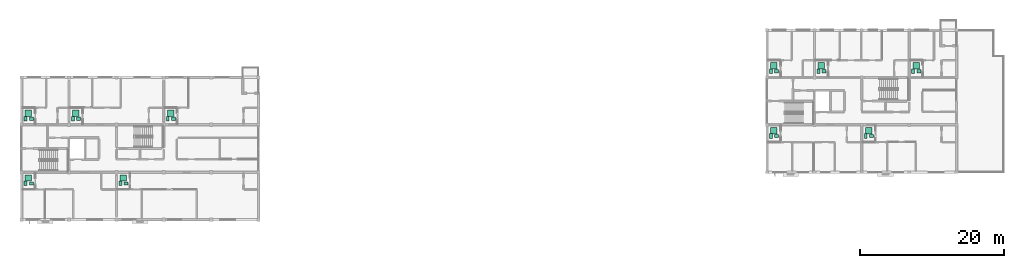
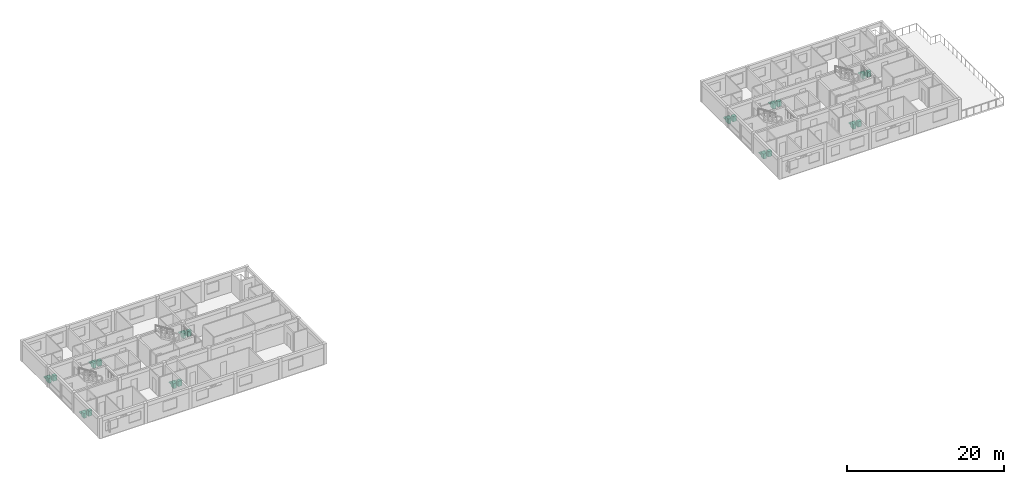
# One storey, part 22 of 22: 30 sanitary terminals.
"""IFC4 building model written with IfcOpenShell, lengths in metres."""

from ifc_helpers import new_model, si_unit, direction, frame, origin, origin_2d, place, context, subcontext, project, spatial, rectangle, extrude, material, type_object, element, save


model = new_model("IFC4")

# Units and contexts
model_context = context("Model", 3, precision=1e-05, world=origin(), true_north=direction((0.0, 1.0)))
body_context = subcontext(model_context, "Body", "Model", "MODEL_VIEW")
ifc_project = project(units=[si_unit("LENGTHUNIT", "METRE"), si_unit("AREAUNIT", "SQUARE_METRE"), si_unit("VOLUMEUNIT", "CUBIC_METRE"), si_unit("PLANEANGLEUNIT", "RADIAN"), si_unit("MASSUNIT", "GRAM", prefix="KILO")], contexts=[model_context])

# Site, building, storey
site_placement = place(None, origin())
site = spatial("IfcSite", under=ifc_project, at=site_placement, CompositionType="ELEMENT")
building_placement = place(site_placement, origin())
building = spatial("IfcBuilding", under=site, at=building_placement, Name="Kernevlak Ridge Housing Community", CompositionType="ELEMENT")
storey_placement = place(building_placement, frame((0.0, 0.0, 43.60009765625)))
storey = spatial("IfcBuildingStorey", under=building, at=storey_placement, Name="L13", CompositionType="ELEMENT", Elevation=43.60009765625)

# Sanitary terminals
ifc_material_1 = material(Name="Vitreous china ceramic")
sanitary_terminal_type_1 = type_object("IfcSanitaryTerminalType", Name="SN-BS", PredefinedType="WASHHANDBASIN", material=ifc_material_1)
for number, where, z_axis, x_axis, name in (
    (1, (16.949951171875, 81.050048828125, 0.0), (0.0, 0.0, 1.0), (1.0, 0.0, 0.0), "Washhand basin 73"),
    (2, (30.14990234375, 81.050048828125, 0.0), (0.0, 0.0, 1.0), (1.0, 0.0, 0.0), "Washhand basin 74"),
    (3, (16.949951171875, 90.050048828125, 0.0), (0.0, 0.0, 1.0), (1.0, 0.0, 0.0), "Washhand basin 75"),
    (4, (23.550048828125, 90.050048828125, 0.0), (0.0, 0.0, 1.0), (1.0, 0.0, 0.0), "Washhand basin 76"),
    (5, (36.75, 90.050048828125, 0.0), (0.0, 0.0, 1.0), (1.0, 0.0, 0.0), "Washhand basin 77"),
    (6, (120.75, 87.64990234375, 0.0), (0.0, 0.0, 1.0), (1.0, 0.0, 0.0), "Washhand basin 170"),
    (7, (133.949951171875, 87.64990234375, 0.0), (0.0, 0.0, 1.0), (1.0, 0.0, 0.0), "Washhand basin 171"),
    (8, (120.75, 96.64990234375, 0.0), (0.0, 0.0, 1.0), (1.0, 0.0, 0.0), "Washhand basin 172"),
    (9, (127.35009765625, 96.64990234375, 0.0), (0.0, 0.0, 1.0), (1.0, 0.0, 0.0), "Washhand basin 173"),
    (10, (140.550048828125, 96.64990234375, 0.0), (0.0, 0.0, 1.0), (1.0, 0.0, 0.0), "Washhand basin 174"),
):
    element("IfcSanitaryTerminal", number, at=place(storey_placement, frame(where, z_axis=z_axis, x_axis=x_axis)), inside=storey, type_object=sanitary_terminal_type_1, Name=name, PredefinedType="WASHHANDBASIN", context=body_context, shape_type="SweptSolid", body=[
        extrude(rectangle(XDim=0.550048828125, YDim=0.449951171875, at=origin_2d()), origin(), (0.0, 0.0, 1.0), 0.820068359375),
    ])
ifc_material_2 = material(Name="Glazed porcelain ceramic")
sanitary_terminal_type_2 = type_object("IfcSanitaryTerminalType", Name="SN-SH", PredefinedType="SHOWER", material=ifc_material_2)
for number, where, z_axis, x_axis, name in (
    (11, (16.550048828125, 81.800048828125, -0.000244140625), (0.0, 0.0, 1.0), (1.0, 0.0, 0.0), "Shower tray 73"),
    (12, (29.75, 81.800048828125, -0.000244140625), (0.0, 0.0, 1.0), (1.0, 0.0, 0.0), "Shower tray 74"),
    (13, (16.550048828125, 90.800048828125, -0.000244140625), (0.0, 0.0, 1.0), (1.0, 0.0, 0.0), "Shower tray 75"),
    (14, (23.14990234375, 90.800048828125, -0.000244140625), (0.0, 0.0, 1.0), (1.0, 0.0, 0.0), "Shower tray 76"),
    (15, (36.35009765625, 90.800048828125, -0.000244140625), (0.0, 0.0, 1.0), (1.0, 0.0, 0.0), "Shower tray 77"),
    (16, (120.35009765625, 88.39990234375, -0.000244140625), (0.0, 0.0, 1.0), (1.0, 0.0, 0.0), "Shower tray 170"),
    (17, (133.550048828125, 88.39990234375, -0.000244140625), (0.0, 0.0, 1.0), (1.0, 0.0, 0.0), "Shower tray 171"),
    (18, (120.35009765625, 97.39990234375, -0.000244140625), (0.0, 0.0, 1.0), (1.0, 0.0, 0.0), "Shower tray 172"),
    (19, (126.949951171875, 97.39990234375, -0.000244140625), (0.0, 0.0, 1.0), (1.0, 0.0, 0.0), "Shower tray 173"),
    (20, (140.14990234375, 97.39990234375, -0.000244140625), (0.0, 0.0, 1.0), (1.0, 0.0, 0.0), "Shower tray 174"),
):
    element("IfcSanitaryTerminal", number, at=place(storey_placement, frame(where, z_axis=z_axis, x_axis=x_axis)), inside=storey, type_object=sanitary_terminal_type_2, Name=name, PredefinedType="SHOWER", context=body_context, shape_type="SweptSolid", body=[
        extrude(rectangle(XDim=0.89990234375, YDim=0.89990234375, at=origin_2d()), origin(), (0.0, 0.0, 1.0), 0.1201171875),
    ])
sanitary_terminal_type_3 = type_object("IfcSanitaryTerminalType", Name="SN-WC", PredefinedType="TOILETPAN", material=ifc_material_1)
for number, where, z_axis, x_axis, name in (
    (21, (16.14990234375, 81.050048828125, 0.0), (0.0, 0.0, 1.0), (1.0, 0.0, 0.0), "WC pan 73"),
    (22, (29.35009765625, 81.050048828125, 0.0), (0.0, 0.0, 1.0), (1.0, 0.0, 0.0), "WC pan 74"),
    (23, (16.14990234375, 90.050048828125, 0.0), (0.0, 0.0, 1.0), (1.0, 0.0, 0.0), "WC pan 75"),
    (24, (22.75, 90.050048828125, 0.0), (0.0, 0.0, 1.0), (1.0, 0.0, 0.0), "WC pan 76"),
    (25, (35.949951171875, 90.050048828125, 0.0), (0.0, 0.0, 1.0), (1.0, 0.0, 0.0), "WC pan 77"),
    (26, (119.949951171875, 87.64990234375, 0.0), (0.0, 0.0, 1.0), (1.0, 0.0, 0.0), "WC pan 170"),
    (27, (133.14990234375, 87.64990234375, 0.0), (0.0, 0.0, 1.0), (1.0, 0.0, 0.0), "WC pan 171"),
    (28, (119.949951171875, 96.64990234375, 0.0), (0.0, 0.0, 1.0), (1.0, 0.0, 0.0), "WC pan 172"),
    (29, (126.550048828125, 96.64990234375, 0.0), (0.0, 0.0, 1.0), (1.0, 0.0, 0.0), "WC pan 173"),
    (30, (139.75, 96.64990234375, 0.0), (0.0, 0.0, 1.0), (1.0, 0.0, 0.0), "WC pan 174"),
):
    element("IfcSanitaryTerminal", number, at=place(storey_placement, frame(where, z_axis=z_axis, x_axis=x_axis)), inside=storey, type_object=sanitary_terminal_type_3, Name=name, PredefinedType="TOILETPAN", context=body_context, shape_type="SweptSolid", body=[
        extrude(rectangle(XDim=0.39990234375, YDim=0.64990234375, at=origin_2d()), origin(), (0.0, 0.0, 1.0), 0.780029296875),
    ])

save(model, "model.ifc")
